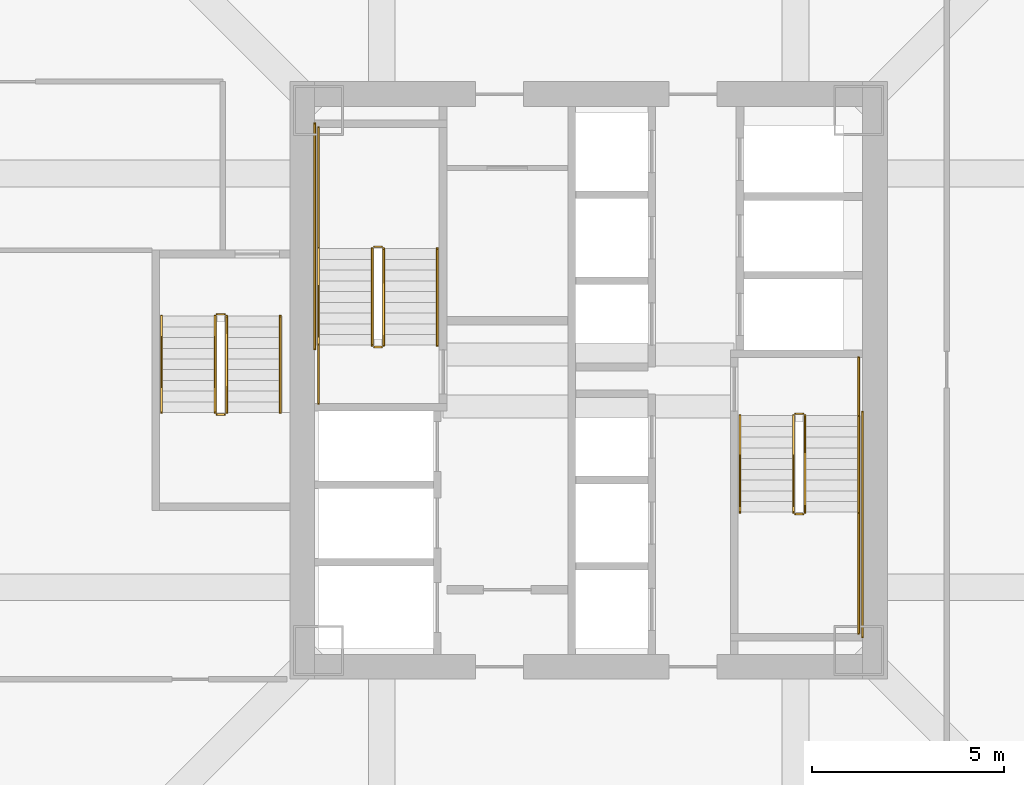
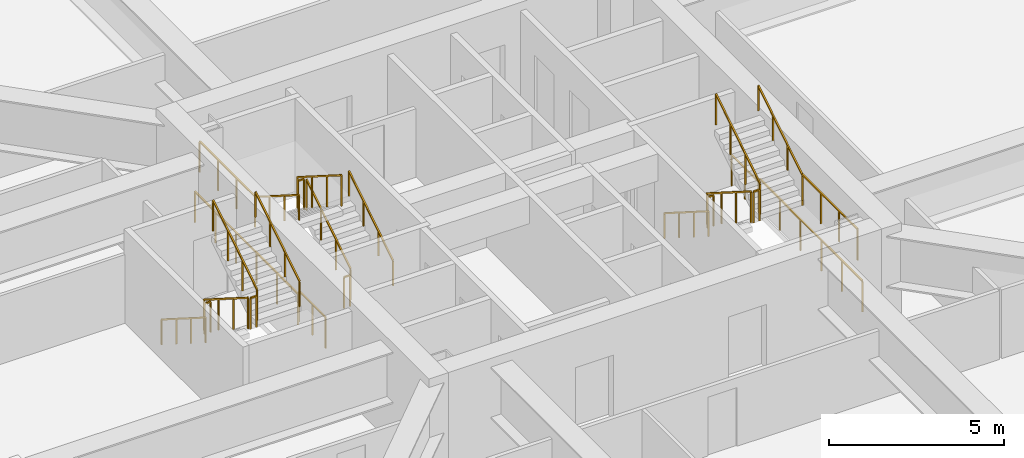
# One storey, part 44 of 49: 24 railings.
"""IFC4 building model written with IfcOpenShell, lengths in metres."""

from ifc_helpers import new_model, si_unit, direction, frame, origin, origin_2d, place, context, subcontext, project, spatial, rectangle, extrude, material, type_object, element, save


model = new_model("IFC4")

# Units and contexts
model_context = context("Model", 3, precision=1e-05, world=origin(), true_north=direction((0.0, 1.0)))
body_context = subcontext(model_context, "Body", "Model", "MODEL_VIEW")
ifc_project = project(units=[si_unit("LENGTHUNIT", "METRE"), si_unit("AREAUNIT", "SQUARE_METRE"), si_unit("VOLUMEUNIT", "CUBIC_METRE"), si_unit("PLANEANGLEUNIT", "RADIAN"), si_unit("MASSUNIT", "GRAM", prefix="KILO")], contexts=[model_context])

# Site, building, storey
site_placement = place(None, origin())
site = spatial("IfcSite", under=ifc_project, at=site_placement, CompositionType="ELEMENT")
building_placement = place(site_placement, origin())
building = spatial("IfcBuilding", under=site, at=building_placement, Name="Tashvorn Skyway Center", CompositionType="ELEMENT")
storey_placement = place(building_placement, frame((0.0, 0.0, 106.25)))
storey = spatial("IfcBuildingStorey", under=building, at=storey_placement, Name="L28", CompositionType="ELEMENT", Elevation=106.25)

# Railings
ifc_material_1 = material(Name="Brushed stainless steel 316", Category="steel")
railing_type_1 = type_object("IfcRailingType", Name="RAIL-HAND-920", PredefinedType="HANDRAIL", material=ifc_material_1)
railing_1_placement = place(storey_placement, frame((38.050048828125, 32.919921875, 0.177490234375)))
element("IfcRailing", 1, at=railing_1_placement, inside=storey, type_object=railing_type_1, Name="L28 ST-T1-1 stair handrail 1", PredefinedType="HANDRAIL", context=body_context, shape_type="SweptSolid", body=[
    extrude(rectangle(XDim=0.048095703125, YDim=0.048095703125, at=origin_2d()), frame((0.0, 0.0, 0.8759765625), z_axis=(0.0, 0.84460694969, 0.535386869969), x_axis=(-1.0, 0.0, 0.0)), (0.0, 0.0, 1.0), 2.983642578125),
    extrude(rectangle(XDim=0.0419921875, YDim=0.0419921875, at=origin_2d()), origin(), (0.0, 0.0, 1.0), 0.851806640625),
    extrude(rectangle(XDim=0.0419921875, YDim=0.0419921875, at=origin_2d()), frame((0.0, 0.840087890625, 0.532470703125)), (0.0, 0.0, 1.0), 0.851806640625),
    extrude(rectangle(XDim=0.0419921875, YDim=0.0419921875, at=origin_2d()), frame((0.0, 1.679931640625, 1.06494140625)), (0.0, 0.0, 1.0), 0.851806640625),
    extrude(rectangle(XDim=0.0419921875, YDim=0.0419921875, at=origin_2d()), frame((0.0, 2.52001953125, 1.597412109375)), (0.0, 0.0, 1.0), 0.851806640625),
])
railing_2_placement = place(storey_placement, frame((34.949951171875, 35.43994140625, 1.952392578125)))
element("IfcRailing", 2, at=railing_2_placement, inside=storey, type_object=railing_type_1, Name="L28 ST-T1-1 stair handrail 2", PredefinedType="HANDRAIL", context=body_context, shape_type="SweptSolid", body=[
    extrude(rectangle(XDim=0.048095703125, YDim=0.048095703125, at=origin_2d()), frame((0.0, 0.0, 0.8759765625), z_axis=(0.0, -0.84456994832, 0.535445237532), x_axis=(1.0, 0.0, 0.0)), (0.0, 0.0, 1.0), 2.98388671875),
    extrude(rectangle(XDim=0.0419921875, YDim=0.0419921875, at=origin_2d()), origin(), (0.0, 0.0, 1.0), 0.851806640625),
    extrude(rectangle(XDim=0.0419921875, YDim=0.0419921875, at=origin_2d()), frame((0.0, -0.840087890625, 0.532470703125)), (0.0, 0.0, 1.0), 0.851806640625),
    extrude(rectangle(XDim=0.0419921875, YDim=0.0419921875, at=origin_2d()), frame((0.0, -1.679931640625, 1.065185546875)), (0.0, 0.0, 1.0), 0.851806640625),
    extrude(rectangle(XDim=0.0419921875, YDim=0.0419921875, at=origin_2d()), frame((0.0, -2.52001953125, 1.59765625)), (0.0, 0.0, 1.0), 0.851806640625),
])
railing_3_placement = place(storey_placement, frame((45.949951171875, 31.080078125, 0.177490234375)))
element("IfcRailing", 3, at=railing_3_placement, inside=storey, type_object=railing_type_1, Name="L28 ST-T1-2 stair handrail 1", PredefinedType="HANDRAIL", context=body_context, shape_type="SweptSolid", body=[
    extrude(rectangle(XDim=0.048095703125, YDim=0.048095703125, at=origin_2d()), frame((0.0, 0.0, 0.8759765625), z_axis=(0.0, -0.84460694969, 0.535386869969), x_axis=(1.0, 0.0, 0.0)), (0.0, 0.0, 1.0), 2.983642578125),
    extrude(rectangle(XDim=0.0419921875, YDim=0.0419921875, at=origin_2d()), origin(), (0.0, 0.0, 1.0), 0.851806640625),
    extrude(rectangle(XDim=0.0419921875, YDim=0.0419921875, at=origin_2d()), frame((0.0, -0.840087890625, 0.532470703125)), (0.0, 0.0, 1.0), 0.851806640625),
    extrude(rectangle(XDim=0.0419921875, YDim=0.0419921875, at=origin_2d()), frame((0.0, -1.679931640625, 1.06494140625)), (0.0, 0.0, 1.0), 0.851806640625),
    extrude(rectangle(XDim=0.0419921875, YDim=0.0419921875, at=origin_2d()), frame((0.0, -2.52001953125, 1.597412109375)), (0.0, 0.0, 1.0), 0.851806640625),
])
railing_4_placement = place(storey_placement, frame((49.050048828125, 28.56005859375, 1.952392578125)))
element("IfcRailing", 4, at=railing_4_placement, inside=storey, type_object=railing_type_1, Name="L28 ST-T1-2 stair handrail 2", PredefinedType="HANDRAIL", context=body_context, shape_type="SweptSolid", body=[
    extrude(rectangle(XDim=0.048095703125, YDim=0.048095703125, at=origin_2d()), frame((0.0, 0.0, 0.8759765625), z_axis=(0.0, 0.84456994832, 0.535445237532), x_axis=(-1.0, 0.0, 0.0)), (0.0, 0.0, 1.0), 2.98388671875),
    extrude(rectangle(XDim=0.0419921875, YDim=0.0419921875, at=origin_2d()), origin(), (0.0, 0.0, 1.0), 0.851806640625),
    extrude(rectangle(XDim=0.0419921875, YDim=0.0419921875, at=origin_2d()), frame((0.0, 0.840087890625, 0.532470703125)), (0.0, 0.0, 1.0), 0.851806640625),
    extrude(rectangle(XDim=0.0419921875, YDim=0.0419921875, at=origin_2d()), frame((0.0, 1.679931640625, 1.065185546875)), (0.0, 0.0, 1.0), 0.851806640625),
    extrude(rectangle(XDim=0.0419921875, YDim=0.0419921875, at=origin_2d()), frame((0.0, 2.52001953125, 1.59765625)), (0.0, 0.0, 1.0), 0.851806640625),
])
railing_5_placement = place(storey_placement, frame((30.85009765625, 33.679931640625, 0.177490234375)))
element("IfcRailing", 5, at=railing_5_placement, inside=storey, type_object=railing_type_1, Name="L28 ST-T1-3 stair handrail 1", PredefinedType="HANDRAIL", context=body_context, shape_type="SweptSolid", body=[
    extrude(rectangle(XDim=0.048095703125, YDim=0.048095703125, at=origin_2d()), frame((0.0, 0.0, 0.8759765625), z_axis=(0.0, -0.84460694969, 0.535386869969), x_axis=(1.0, 0.0, 0.0)), (0.0, 0.0, 1.0), 2.983642578125),
    extrude(rectangle(XDim=0.0419921875, YDim=0.0419921875, at=origin_2d()), origin(), (0.0, 0.0, 1.0), 0.851806640625),
    extrude(rectangle(XDim=0.0419921875, YDim=0.0419921875, at=origin_2d()), frame((0.0, -0.840087890625, 0.532470703125)), (0.0, 0.0, 1.0), 0.851806640625),
    extrude(rectangle(XDim=0.0419921875, YDim=0.0419921875, at=origin_2d()), frame((0.0, -1.679931640625, 1.06494140625)), (0.0, 0.0, 1.0), 0.851806640625),
    extrude(rectangle(XDim=0.0419921875, YDim=0.0419921875, at=origin_2d()), frame((0.0, -2.52001953125, 1.597412109375)), (0.0, 0.0, 1.0), 0.851806640625),
])
railing_6_placement = place(storey_placement, frame((33.949951171875, 31.159912109375, 1.952392578125)))
element("IfcRailing", 6, at=railing_6_placement, inside=storey, type_object=railing_type_1, Name="L28 ST-T1-3 stair handrail 2", PredefinedType="HANDRAIL", context=body_context, shape_type="SweptSolid", body=[
    extrude(rectangle(XDim=0.048095703125, YDim=0.048095703125, at=origin_2d()), frame((0.0, 0.0, 0.8759765625), z_axis=(0.0, 0.84456994832, 0.535445237532), x_axis=(-1.0, 0.0, 0.0)), (0.0, 0.0, 1.0), 2.98388671875),
    extrude(rectangle(XDim=0.0419921875, YDim=0.0419921875, at=origin_2d()), origin(), (0.0, 0.0, 1.0), 0.851806640625),
    extrude(rectangle(XDim=0.0419921875, YDim=0.0419921875, at=origin_2d()), frame((0.0, 0.840087890625, 0.532470703125)), (0.0, 0.0, 1.0), 0.851806640625),
    extrude(rectangle(XDim=0.0419921875, YDim=0.0419921875, at=origin_2d()), frame((0.0, 1.679931640625, 1.065185546875)), (0.0, 0.0, 1.0), 0.851806640625),
    extrude(rectangle(XDim=0.0419921875, YDim=0.0419921875, at=origin_2d()), frame((0.0, 2.52001953125, 1.59765625)), (0.0, 0.0, 1.0), 0.851806640625),
])
ifc_material_2 = material(Name="Painted galvanized steel S355", Category="steel")
railing_type_2 = type_object("IfcRailingType", Name="RAIL-STGUARD-1100", PredefinedType="GUARDRAIL", material=ifc_material_2)
railing_7_placement = place(storey_placement, frame((36.64990234375, 32.919921875, 0.177490234375)))
element("IfcRailing", 7, at=railing_7_placement, inside=storey, type_object=railing_type_2, Name="L28 ST-T1-1 stair guard 1", PredefinedType="GUARDRAIL", context=body_context, shape_type="SweptSolid", body=[
    extrude(rectangle(XDim=0.048095703125, YDim=0.048095703125, at=origin_2d()), frame((0.0, 0.0, 1.076171875), z_axis=(0.0, 0.84460694969, 0.535386869969), x_axis=(-1.0, 0.0, 0.0)), (0.0, 0.0, 1.0), 2.983642578125),
    extrude(rectangle(XDim=0.0419921875, YDim=0.0419921875, at=origin_2d()), origin(), (0.0, 0.0, 1.0), 1.052001953125),
    extrude(rectangle(XDim=0.0419921875, YDim=0.0419921875, at=origin_2d()), frame((0.0, 0.840087890625, 0.532470703125)), (0.0, 0.0, 1.0), 1.052001953125),
    extrude(rectangle(XDim=0.0419921875, YDim=0.0419921875, at=origin_2d()), frame((0.0, 1.679931640625, 1.06494140625)), (0.0, 0.0, 1.0), 1.052001953125),
    extrude(rectangle(XDim=0.0419921875, YDim=0.0419921875, at=origin_2d()), frame((0.0, 2.52001953125, 1.597412109375)), (0.0, 0.0, 1.0), 1.052001953125),
])
railing_8_placement = place(storey_placement, frame((36.60009765625, 35.489990234375, 1.77490234375)))
element("IfcRailing", 8, at=railing_8_placement, inside=storey, type_object=railing_type_2, Name="L28 ST-T1-1 stair guard 2", PredefinedType="GUARDRAIL", context=body_context, shape_type="SweptSolid", body=[
    extrude(rectangle(XDim=0.048095703125, YDim=0.048095703125, at=origin_2d()), frame((0.0, 0.0, 1.076171875), z_axis=(-1.0, 0.0, 0.0), x_axis=(0.0, -1.0, 0.0)), (0.0, 0.0, 1.0), 0.2001953125),
    extrude(rectangle(XDim=0.0419921875, YDim=0.0419921875, at=origin_2d()), origin(), (0.0, 0.0, 1.0), 1.052001953125),
    extrude(rectangle(XDim=0.0419921875, YDim=0.0419921875, at=origin_2d()), frame((-0.2001953125, 0.0, 0.0)), (0.0, 0.0, 1.0), 1.052001953125),
])
railing_9_placement = place(storey_placement, frame((34.949951171875, 35.43994140625, 1.77490234375)))
element("IfcRailing", 9, at=railing_9_placement, inside=storey, type_object=railing_type_2, Name="L28 ST-T1-1 stair guard 3", PredefinedType="GUARDRAIL", context=body_context, shape_type="SweptSolid", body=[
    extrude(rectangle(XDim=0.048095703125, YDim=0.048095703125, at=origin_2d()), frame((0.0, 0.0, 1.076171875), z_axis=(0.0, 1.0, 0.0), x_axis=(-1.0, 0.0, 0.0)), (0.0, 0.0, 1.0), 3.16015625),
    extrude(rectangle(XDim=0.0419921875, YDim=0.0419921875, at=origin_2d()), origin(), (0.0, 0.0, 1.0), 1.052001953125),
    extrude(rectangle(XDim=0.0419921875, YDim=0.0419921875, at=origin_2d()), frame((0.0, 1.053466796875, 0.0)), (0.0, 0.0, 1.0), 1.052001953125),
    extrude(rectangle(XDim=0.0419921875, YDim=0.0419921875, at=origin_2d()), frame((0.0, 2.106689453125, 0.0)), (0.0, 0.0, 1.0), 1.052001953125),
    extrude(rectangle(XDim=0.0419921875, YDim=0.0419921875, at=origin_2d()), frame((0.0, 3.16015625, 0.0)), (0.0, 0.0, 1.0), 1.052001953125),
])
railing_10_placement = place(storey_placement, frame((36.35009765625, 35.43994140625, 1.952392578125)))
element("IfcRailing", 10, at=railing_10_placement, inside=storey, type_object=railing_type_2, Name="L28 ST-T1-1 stair guard 4", PredefinedType="GUARDRAIL", context=body_context, shape_type="SweptSolid", body=[
    extrude(rectangle(XDim=0.048095703125, YDim=0.048095703125, at=origin_2d()), frame((0.0, 0.0, 1.076171875), z_axis=(0.0, -0.84456994832, 0.535445237532), x_axis=(1.0, 0.0, 0.0)), (0.0, 0.0, 1.0), 2.98388671875),
    extrude(rectangle(XDim=0.0419921875, YDim=0.0419921875, at=origin_2d()), origin(), (0.0, 0.0, 1.0), 1.052001953125),
    extrude(rectangle(XDim=0.0419921875, YDim=0.0419921875, at=origin_2d()), frame((0.0, -0.840087890625, 0.532470703125)), (0.0, 0.0, 1.0), 1.052001953125),
    extrude(rectangle(XDim=0.0419921875, YDim=0.0419921875, at=origin_2d()), frame((0.0, -1.679931640625, 1.065185546875)), (0.0, 0.0, 1.0), 1.052001953125),
    extrude(rectangle(XDim=0.0419921875, YDim=0.0419921875, at=origin_2d()), frame((0.0, -2.52001953125, 1.59765625)), (0.0, 0.0, 1.0), 1.052001953125),
])
railing_11_placement = place(storey_placement, frame((36.60009765625, 32.8701171875, 0.0)))
element("IfcRailing", 11, at=railing_11_placement, inside=storey, type_object=railing_type_2, Name="L28 ST-T1-1 stair guard 5", PredefinedType="GUARDRAIL", context=body_context, shape_type="SweptSolid", body=[
    extrude(rectangle(XDim=0.048095703125, YDim=0.048095703125, at=origin_2d()), frame((0.0, 0.0, 1.076171875), z_axis=(-1.0, 0.0, 0.0), x_axis=(0.0, -1.0, 0.0)), (0.0, 0.0, 1.0), 0.2001953125),
    extrude(rectangle(XDim=0.0419921875, YDim=0.0419921875, at=origin_2d()), origin(), (0.0, 0.0, 1.0), 1.052001953125),
    extrude(rectangle(XDim=0.0419921875, YDim=0.0419921875, at=origin_2d()), frame((-0.2001953125, 0.0, 0.0)), (0.0, 0.0, 1.0), 1.052001953125),
])
railing_12_placement = place(storey_placement, frame((34.949951171875, 31.39990234375, 0.0)))
element("IfcRailing", 12, at=railing_12_placement, inside=storey, type_object=railing_type_2, Name="L28 ST-T1-1 stair guard 6", PredefinedType="GUARDRAIL", context=body_context, shape_type="SweptSolid", body=[
    extrude(rectangle(XDim=0.048095703125, YDim=0.048095703125, at=origin_2d()), frame((0.0, 0.0, 1.076171875), z_axis=(0.0, 1.0, 0.0), x_axis=(-1.0, 0.0, 0.0)), (0.0, 0.0, 1.0), 1.52001953125),
    extrude(rectangle(XDim=0.0419921875, YDim=0.0419921875, at=origin_2d()), origin(), (0.0, 0.0, 1.0), 1.052001953125),
    extrude(rectangle(XDim=0.0419921875, YDim=0.0419921875, at=origin_2d()), frame((0.0, 0.760009765625, 0.0)), (0.0, 0.0, 1.0), 1.052001953125),
    extrude(rectangle(XDim=0.0419921875, YDim=0.0419921875, at=origin_2d()), frame((0.0, 1.52001953125, 0.0)), (0.0, 0.0, 1.0), 1.052001953125),
])
railing_13_placement = place(storey_placement, frame((34.85009765625, 32.820068359375, 0.0)))
element("IfcRailing", 13, at=railing_13_placement, inside=storey, type_object=railing_type_2, Name="L28 ST-T1-1 stair guard 7", PredefinedType="GUARDRAIL", context=body_context, shape_type="SweptSolid", body=[
    extrude(rectangle(XDim=0.048095703125, YDim=0.048095703125, at=origin_2d()), frame((0.0, 0.0, 1.076171875), z_axis=(0.0, 1.0, 0.0), x_axis=(-1.0, 0.0, 0.0)), (0.0, 0.0, 1.0), 5.8798828125),
    extrude(rectangle(XDim=0.0419921875, YDim=0.0419921875, at=origin_2d()), origin(), (0.0, 0.0, 1.0), 1.052001953125),
    extrude(rectangle(XDim=0.0419921875, YDim=0.0419921875, at=origin_2d()), frame((0.0, 1.176025390625, 0.0)), (0.0, 0.0, 1.0), 1.052001953125),
    extrude(rectangle(XDim=0.0419921875, YDim=0.0419921875, at=origin_2d()), frame((0.0, 2.35205078125, 0.0)), (0.0, 0.0, 1.0), 1.052001953125),
    extrude(rectangle(XDim=0.0419921875, YDim=0.0419921875, at=origin_2d()), frame((0.0, 3.52783203125, 0.0)), (0.0, 0.0, 1.0), 1.052001953125),
    extrude(rectangle(XDim=0.0419921875, YDim=0.0419921875, at=origin_2d()), frame((0.0, 4.703857421875, 0.0)), (0.0, 0.0, 1.0), 1.052001953125),
    extrude(rectangle(XDim=0.0419921875, YDim=0.0419921875, at=origin_2d()), frame((0.0, 5.8798828125, 0.0)), (0.0, 0.0, 1.0), 1.052001953125),
])
railing_14_placement = place(storey_placement, frame((47.35009765625, 31.080078125, 0.177490234375)))
element("IfcRailing", 14, at=railing_14_placement, inside=storey, type_object=railing_type_2, Name="L28 ST-T1-2 stair guard 1", PredefinedType="GUARDRAIL", context=body_context, shape_type="SweptSolid", body=[
    extrude(rectangle(XDim=0.048095703125, YDim=0.048095703125, at=origin_2d()), frame((0.0, 0.0, 1.076171875), z_axis=(0.0, -0.84460694969, 0.535386869969), x_axis=(1.0, 0.0, 0.0)), (0.0, 0.0, 1.0), 2.983642578125),
    extrude(rectangle(XDim=0.0419921875, YDim=0.0419921875, at=origin_2d()), origin(), (0.0, 0.0, 1.0), 1.052001953125),
    extrude(rectangle(XDim=0.0419921875, YDim=0.0419921875, at=origin_2d()), frame((0.0, -0.840087890625, 0.532470703125)), (0.0, 0.0, 1.0), 1.052001953125),
    extrude(rectangle(XDim=0.0419921875, YDim=0.0419921875, at=origin_2d()), frame((0.0, -1.679931640625, 1.06494140625)), (0.0, 0.0, 1.0), 1.052001953125),
    extrude(rectangle(XDim=0.0419921875, YDim=0.0419921875, at=origin_2d()), frame((0.0, -2.52001953125, 1.597412109375)), (0.0, 0.0, 1.0), 1.052001953125),
])
railing_15_placement = place(storey_placement, frame((47.39990234375, 28.510009765625, 1.77490234375)))
element("IfcRailing", 15, at=railing_15_placement, inside=storey, type_object=railing_type_2, Name="L28 ST-T1-2 stair guard 2", PredefinedType="GUARDRAIL", context=body_context, shape_type="SweptSolid", body=[
    extrude(rectangle(XDim=0.048095703125, YDim=0.048095703125, at=origin_2d()), frame((0.0, 0.0, 1.076171875), z_axis=(1.0, 0.0, 0.0), x_axis=(0.0, 1.0, 0.0)), (0.0, 0.0, 1.0), 0.2001953125),
    extrude(rectangle(XDim=0.0419921875, YDim=0.0419921875, at=origin_2d()), origin(), (0.0, 0.0, 1.0), 1.052001953125),
    extrude(rectangle(XDim=0.0419921875, YDim=0.0419921875, at=origin_2d()), frame((0.2001953125, 0.0, 0.0)), (0.0, 0.0, 1.0), 1.052001953125),
])
railing_16_placement = place(storey_placement, frame((49.050048828125, 28.56005859375, 1.77490234375)))
element("IfcRailing", 16, at=railing_16_placement, inside=storey, type_object=railing_type_2, Name="L28 ST-T1-2 stair guard 3", PredefinedType="GUARDRAIL", context=body_context, shape_type="SweptSolid", body=[
    extrude(rectangle(XDim=0.048095703125, YDim=0.048095703125, at=origin_2d()), frame((0.0, 0.0, 1.076171875), z_axis=(0.0, -1.0, 0.0), x_axis=(1.0, 0.0, 0.0)), (0.0, 0.0, 1.0), 3.16015625),
    extrude(rectangle(XDim=0.0419921875, YDim=0.0419921875, at=origin_2d()), origin(), (0.0, 0.0, 1.0), 1.052001953125),
    extrude(rectangle(XDim=0.0419921875, YDim=0.0419921875, at=origin_2d()), frame((0.0, -1.053466796875, 0.0)), (0.0, 0.0, 1.0), 1.052001953125),
    extrude(rectangle(XDim=0.0419921875, YDim=0.0419921875, at=origin_2d()), frame((0.0, -2.106689453125, 0.0)), (0.0, 0.0, 1.0), 1.052001953125),
    extrude(rectangle(XDim=0.0419921875, YDim=0.0419921875, at=origin_2d()), frame((0.0, -3.16015625, 0.0)), (0.0, 0.0, 1.0), 1.052001953125),
])
railing_17_placement = place(storey_placement, frame((47.64990234375, 28.56005859375, 1.952392578125)))
element("IfcRailing", 17, at=railing_17_placement, inside=storey, type_object=railing_type_2, Name="L28 ST-T1-2 stair guard 4", PredefinedType="GUARDRAIL", context=body_context, shape_type="SweptSolid", body=[
    extrude(rectangle(XDim=0.048095703125, YDim=0.048095703125, at=origin_2d()), frame((0.0, 0.0, 1.076171875), z_axis=(0.0, 0.84456994832, 0.535445237532), x_axis=(-1.0, 0.0, 0.0)), (0.0, 0.0, 1.0), 2.98388671875),
    extrude(rectangle(XDim=0.0419921875, YDim=0.0419921875, at=origin_2d()), origin(), (0.0, 0.0, 1.0), 1.052001953125),
    extrude(rectangle(XDim=0.0419921875, YDim=0.0419921875, at=origin_2d()), frame((0.0, 0.840087890625, 0.532470703125)), (0.0, 0.0, 1.0), 1.052001953125),
    extrude(rectangle(XDim=0.0419921875, YDim=0.0419921875, at=origin_2d()), frame((0.0, 1.679931640625, 1.065185546875)), (0.0, 0.0, 1.0), 1.052001953125),
    extrude(rectangle(XDim=0.0419921875, YDim=0.0419921875, at=origin_2d()), frame((0.0, 2.52001953125, 1.59765625)), (0.0, 0.0, 1.0), 1.052001953125),
])
railing_18_placement = place(storey_placement, frame((47.39990234375, 31.1298828125, 0.0)))
element("IfcRailing", 18, at=railing_18_placement, inside=storey, type_object=railing_type_2, Name="L28 ST-T1-2 stair guard 5", PredefinedType="GUARDRAIL", context=body_context, shape_type="SweptSolid", body=[
    extrude(rectangle(XDim=0.048095703125, YDim=0.048095703125, at=origin_2d()), frame((0.0, 0.0, 1.076171875), z_axis=(1.0, 0.0, 0.0), x_axis=(0.0, 1.0, 0.0)), (0.0, 0.0, 1.0), 0.2001953125),
    extrude(rectangle(XDim=0.0419921875, YDim=0.0419921875, at=origin_2d()), origin(), (0.0, 0.0, 1.0), 1.052001953125),
    extrude(rectangle(XDim=0.0419921875, YDim=0.0419921875, at=origin_2d()), frame((0.2001953125, 0.0, 0.0)), (0.0, 0.0, 1.0), 1.052001953125),
])
railing_19_placement = place(storey_placement, frame((49.050048828125, 32.60009765625, 0.0)))
element("IfcRailing", 19, at=railing_19_placement, inside=storey, type_object=railing_type_2, Name="L28 ST-T1-2 stair guard 6", PredefinedType="GUARDRAIL", context=body_context, shape_type="SweptSolid", body=[
    extrude(rectangle(XDim=0.048095703125, YDim=0.048095703125, at=origin_2d()), frame((0.0, 0.0, 1.076171875), z_axis=(0.0, -1.0, 0.0), x_axis=(1.0, 0.0, 0.0)), (0.0, 0.0, 1.0), 1.52001953125),
    extrude(rectangle(XDim=0.0419921875, YDim=0.0419921875, at=origin_2d()), origin(), (0.0, 0.0, 1.0), 1.052001953125),
    extrude(rectangle(XDim=0.0419921875, YDim=0.0419921875, at=origin_2d()), frame((0.0, -0.760009765625, 0.0)), (0.0, 0.0, 1.0), 1.052001953125),
    extrude(rectangle(XDim=0.0419921875, YDim=0.0419921875, at=origin_2d()), frame((0.0, -1.52001953125, 0.0)), (0.0, 0.0, 1.0), 1.052001953125),
])
railing_20_placement = place(storey_placement, frame((49.14990234375, 31.179931640625, 0.0)))
element("IfcRailing", 20, at=railing_20_placement, inside=storey, type_object=railing_type_2, Name="L28 ST-T1-2 stair guard 7", PredefinedType="GUARDRAIL", context=body_context, shape_type="SweptSolid", body=[
    extrude(rectangle(XDim=0.048095703125, YDim=0.048095703125, at=origin_2d()), frame((0.0, 0.0, 1.076171875), z_axis=(0.0, -1.0, 0.0), x_axis=(1.0, 0.0, 0.0)), (0.0, 0.0, 1.0), 5.8798828125),
    extrude(rectangle(XDim=0.0419921875, YDim=0.0419921875, at=origin_2d()), origin(), (0.0, 0.0, 1.0), 1.052001953125),
    extrude(rectangle(XDim=0.0419921875, YDim=0.0419921875, at=origin_2d()), frame((0.0, -1.176025390625, 0.0)), (0.0, 0.0, 1.0), 1.052001953125),
    extrude(rectangle(XDim=0.0419921875, YDim=0.0419921875, at=origin_2d()), frame((0.0, -2.35205078125, 0.0)), (0.0, 0.0, 1.0), 1.052001953125),
    extrude(rectangle(XDim=0.0419921875, YDim=0.0419921875, at=origin_2d()), frame((0.0, -3.52783203125, 0.0)), (0.0, 0.0, 1.0), 1.052001953125),
    extrude(rectangle(XDim=0.0419921875, YDim=0.0419921875, at=origin_2d()), frame((0.0, -4.703857421875, 0.0)), (0.0, 0.0, 1.0), 1.052001953125),
    extrude(rectangle(XDim=0.0419921875, YDim=0.0419921875, at=origin_2d()), frame((0.0, -5.8798828125, 0.0)), (0.0, 0.0, 1.0), 1.052001953125),
])
railing_21_placement = place(storey_placement, frame((32.25, 33.679931640625, 0.177490234375)))
element("IfcRailing", 21, at=railing_21_placement, inside=storey, type_object=railing_type_2, Name="L28 ST-T1-3 stair guard 1", PredefinedType="GUARDRAIL", context=body_context, shape_type="SweptSolid", body=[
    extrude(rectangle(XDim=0.048095703125, YDim=0.048095703125, at=origin_2d()), frame((0.0, 0.0, 1.076171875), z_axis=(0.0, -0.84460694969, 0.535386869969), x_axis=(1.0, 0.0, 0.0)), (0.0, 0.0, 1.0), 2.983642578125),
    extrude(rectangle(XDim=0.0419921875, YDim=0.0419921875, at=origin_2d()), origin(), (0.0, 0.0, 1.0), 1.052001953125),
    extrude(rectangle(XDim=0.0419921875, YDim=0.0419921875, at=origin_2d()), frame((0.0, -0.840087890625, 0.532470703125)), (0.0, 0.0, 1.0), 1.052001953125),
    extrude(rectangle(XDim=0.0419921875, YDim=0.0419921875, at=origin_2d()), frame((0.0, -1.679931640625, 1.06494140625)), (0.0, 0.0, 1.0), 1.052001953125),
    extrude(rectangle(XDim=0.0419921875, YDim=0.0419921875, at=origin_2d()), frame((0.0, -2.52001953125, 1.597412109375)), (0.0, 0.0, 1.0), 1.052001953125),
])
railing_22_placement = place(storey_placement, frame((32.300048828125, 31.110107421875, 1.77490234375)))
element("IfcRailing", 22, at=railing_22_placement, inside=storey, type_object=railing_type_2, Name="L28 ST-T1-3 stair guard 2", PredefinedType="GUARDRAIL", context=body_context, shape_type="SweptSolid", body=[
    extrude(rectangle(XDim=0.048095703125, YDim=0.048095703125, at=origin_2d()), frame((0.0, 0.0, 1.076171875), z_axis=(1.0, 0.0, 0.0), x_axis=(0.0, 1.0, 0.0)), (0.0, 0.0, 1.0), 0.199951171875),
    extrude(rectangle(XDim=0.0419921875, YDim=0.0419921875, at=origin_2d()), origin(), (0.0, 0.0, 1.0), 1.052001953125),
    extrude(rectangle(XDim=0.0419921875, YDim=0.0419921875, at=origin_2d()), frame((0.199951171875, 0.0, 0.0)), (0.0, 0.0, 1.0), 1.052001953125),
])
railing_23_placement = place(storey_placement, frame((32.550048828125, 31.159912109375, 1.952392578125)))
element("IfcRailing", 23, at=railing_23_placement, inside=storey, type_object=railing_type_2, Name="L28 ST-T1-3 stair guard 3", PredefinedType="GUARDRAIL", context=body_context, shape_type="SweptSolid", body=[
    extrude(rectangle(XDim=0.048095703125, YDim=0.048095703125, at=origin_2d()), frame((0.0, 0.0, 1.076171875), z_axis=(0.0, 0.84456994832, 0.535445237532), x_axis=(-1.0, 0.0, 0.0)), (0.0, 0.0, 1.0), 2.98388671875),
    extrude(rectangle(XDim=0.0419921875, YDim=0.0419921875, at=origin_2d()), origin(), (0.0, 0.0, 1.0), 1.052001953125),
    extrude(rectangle(XDim=0.0419921875, YDim=0.0419921875, at=origin_2d()), frame((0.0, 0.840087890625, 0.532470703125)), (0.0, 0.0, 1.0), 1.052001953125),
    extrude(rectangle(XDim=0.0419921875, YDim=0.0419921875, at=origin_2d()), frame((0.0, 1.679931640625, 1.065185546875)), (0.0, 0.0, 1.0), 1.052001953125),
    extrude(rectangle(XDim=0.0419921875, YDim=0.0419921875, at=origin_2d()), frame((0.0, 2.52001953125, 1.59765625)), (0.0, 0.0, 1.0), 1.052001953125),
])
railing_24_placement = place(storey_placement, frame((32.300048828125, 33.72998046875, 0.0)))
element("IfcRailing", 24, at=railing_24_placement, inside=storey, type_object=railing_type_2, Name="L28 ST-T1-3 stair guard 4", PredefinedType="GUARDRAIL", context=body_context, shape_type="SweptSolid", body=[
    extrude(rectangle(XDim=0.048095703125, YDim=0.048095703125, at=origin_2d()), frame((0.0, 0.0, 1.076171875), z_axis=(1.0, 0.0, 0.0), x_axis=(0.0, 1.0, 0.0)), (0.0, 0.0, 1.0), 0.199951171875),
    extrude(rectangle(XDim=0.0419921875, YDim=0.0419921875, at=origin_2d()), origin(), (0.0, 0.0, 1.0), 1.052001953125),
    extrude(rectangle(XDim=0.0419921875, YDim=0.0419921875, at=origin_2d()), frame((0.199951171875, 0.0, 0.0)), (0.0, 0.0, 1.0), 1.052001953125),
])

save(model, "model.ifc")
